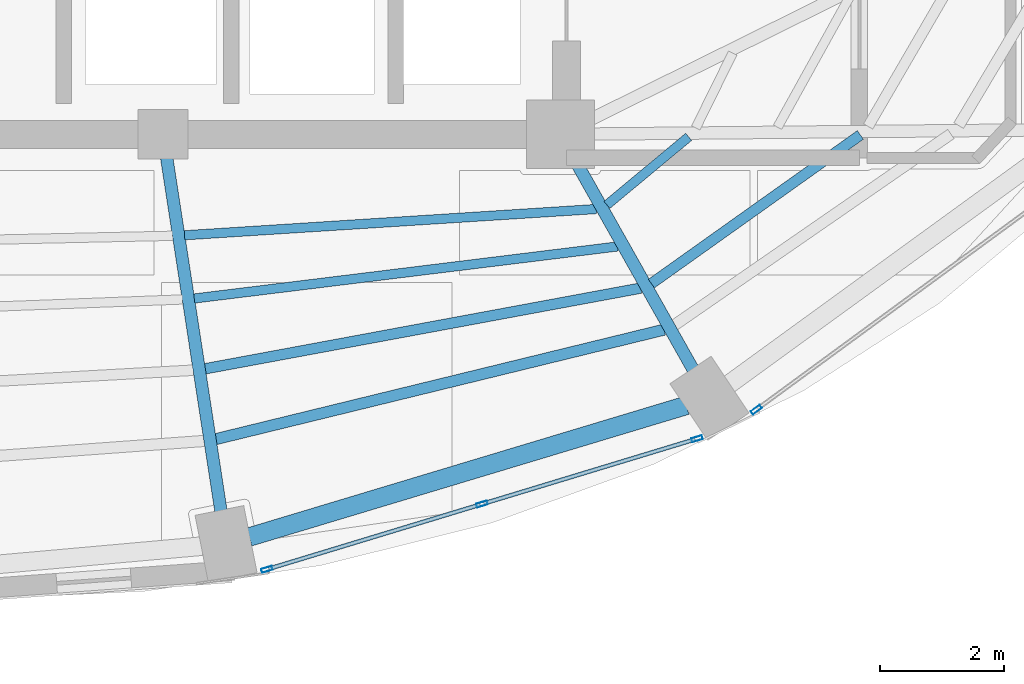
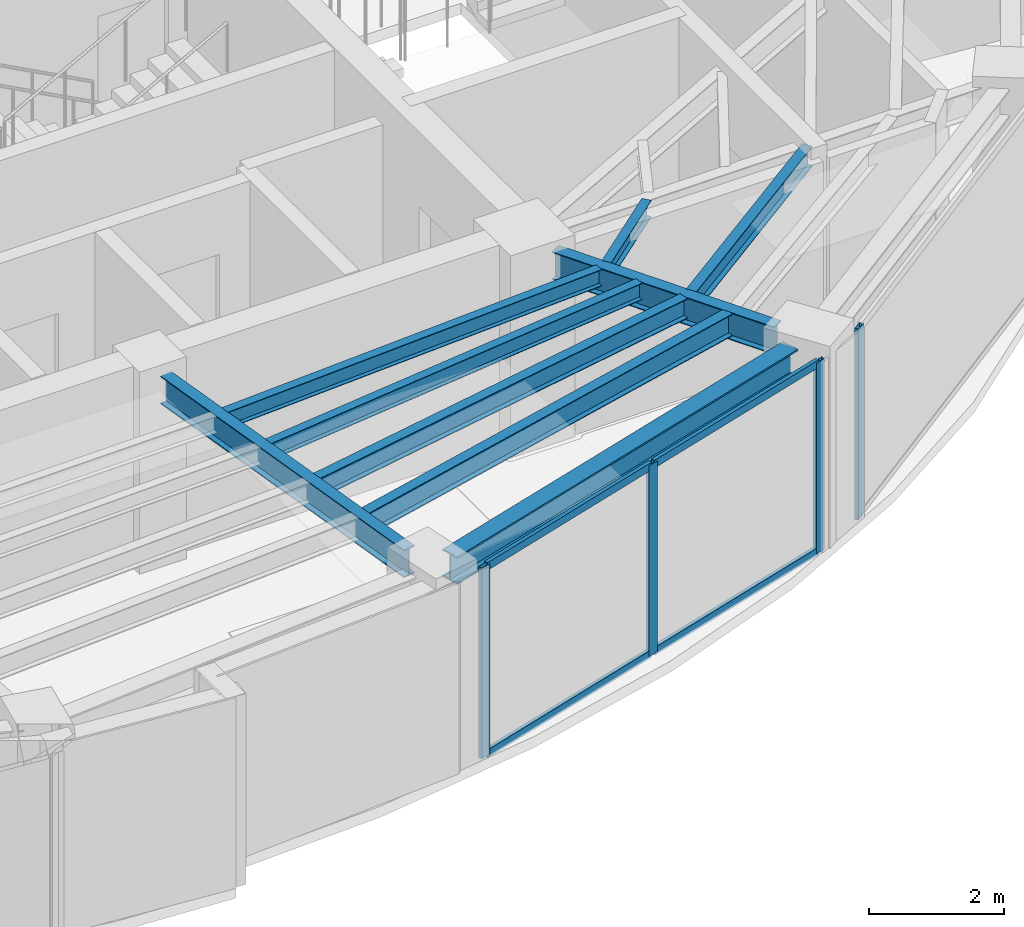
# One storey, part 2 of 15: 9 beams, 8 members, 2 elements without a shape of their own.
"""IFC4 building model written with IfcOpenShell, lengths in metres."""

from ifc_helpers import new_model, si_unit, direction, frame, origin, origin_2d, place, context, subcontext, project, spatial, hollow_rectangle, i_section, extrude, material, layer, layer_set, material_profile, profile_set, type_object, element, aggregate, save


model = new_model("IFC4")

# Units and contexts
model_context = context("Model", 3, precision=1e-05, world=origin(), true_north=direction((0.0, 1.0)))
body_context = subcontext(model_context, "Body", "Model", "MODEL_VIEW")
ifc_project = project(units=[si_unit("LENGTHUNIT", "METRE"), si_unit("AREAUNIT", "SQUARE_METRE"), si_unit("VOLUMEUNIT", "CUBIC_METRE"), si_unit("PLANEANGLEUNIT", "RADIAN"), si_unit("MASSUNIT", "GRAM", prefix="KILO")], contexts=[model_context])

# Site, building, storey
site_placement = place(None, origin())
site = spatial("IfcSite", under=ifc_project, at=site_placement, CompositionType="ELEMENT")
building_placement = place(site_placement, origin())
building = spatial("IfcBuilding", under=site, at=building_placement, Name="Lazwardi Medical Tower", CompositionType="ELEMENT")
storey_placement = place(building_placement, frame((0.0, 0.0, 284.2080078125)))
storey = spatial("IfcBuildingStorey", under=building, at=storey_placement, Name="L74", CompositionType="ELEMENT", Elevation=284.2080078125)

# Beams
ifc_material_1 = material(Name="Steel S355", Category="steel")
ifc_material_profile_1 = material_profile(ifc_material_1, i_section(OverallWidth=0.300048828125, OverallDepth=0.5, WebThickness=0.014404296875, FlangeThickness=0.028076171875, at=origin_2d()), Name="HEB 500")
ifc_profile_set_1 = profile_set([ifc_material_profile_1], Name="Steel S355")
beam_type_1 = type_object("IfcBeamType", Name="BM-RB-Z4", PredefinedType="BEAM", material=ifc_profile_set_1)
beam_1_placement = place(storey_placement, frame((40.58740234375, 13.9140625, 3.197998046875), z_axis=(0.957544311906, 0.288286126506, 0.0), x_axis=(-0.288286126506, 0.957544311906, 0.0)))
element("IfcBeam", 1, at=beam_1_placement, inside=storey, type_object=beam_type_1, Name="Ring beam RB-05 B01 L74", PredefinedType="BEAM", context=body_context, shape_type="SweptSolid", body=[
    extrude(i_section(OverallWidth=0.300048828125, OverallDepth=0.5, WebThickness=0.014404296875, FlangeThickness=0.028076171875, at=origin_2d()), origin(), (0.0, 0.0, 1.0), 7.3515625),
])
ifc_material_profile_2 = material_profile(ifc_material_1, i_section(OverallWidth=0.199951171875, OverallDepth=0.5, WebThickness=0.01025390625, FlangeThickness=0.01611328125, at=origin_2d()), Name="IPE 500")
ifc_profile_set_2 = profile_set([ifc_material_profile_2], Name="Steel S355")
beam_type_2 = type_object("IfcBeamType", Name="BM-RG-W3", PredefinedType="BEAM", material=ifc_profile_set_2)
beam_2_placement = place(storey_placement, frame((40.1328125, 14.33056640625, 3.197998046875), z_axis=(-0.151894625259, 0.988396693043, 0.0), x_axis=(-0.988396693043, -0.151894625259, 0.0)))
element("IfcBeam", 2, at=beam_2_placement, inside=storey, type_object=beam_type_2, Name="Radial girder RG-04 R01 L74", PredefinedType="BEAM", context=body_context, shape_type="SweptSolid", body=[
    extrude(i_section(OverallWidth=0.199951171875, OverallDepth=0.5, WebThickness=0.01025390625, FlangeThickness=0.01611328125, at=origin_2d()), origin(), (0.0, 0.0, 1.0), 5.755859375),
])
beam_3_placement = place(storey_placement, frame((47.7373046875, 16.61181640625, 3.197998046875), z_axis=(-0.491403349237, 0.870932114667, 0.0), x_axis=(-0.870932114667, -0.491403349237, 0.0)))
element("IfcBeam", 3, at=beam_3_placement, inside=storey, type_object=beam_type_2, Name="Radial girder RG-04 R02 L74", PredefinedType="BEAM", context=body_context, shape_type="SweptSolid", body=[
    extrude(i_section(OverallWidth=0.199951171875, OverallDepth=0.5, WebThickness=0.01025390625, FlangeThickness=0.01611328125, at=origin_2d()), origin(), (0.0, 0.0, 1.0), 3.814697265625),
])
ifc_material_profile_3 = material_profile(ifc_material_1, i_section(OverallWidth=0.179931640625, OverallDepth=0.39990234375, WebThickness=0.008544921875, FlangeThickness=0.013427734375, at=origin_2d()), Name="IPE 400")
ifc_profile_set_3 = profile_set([ifc_material_profile_3], Name="Steel S355")
beam_type_3 = type_object("IfcBeamType", Name="BM-SJ-01", PredefinedType="JOIST", material=ifc_profile_set_3)
beam_4_placement = place(storey_placement, frame((40.050048828125, 15.49072265625, 3.248046875), z_axis=(0.971461103721, 0.237198912219, 0.0), x_axis=(-0.237198912219, 0.971461103721, 0.0)))
element("IfcBeam", 4, at=beam_4_placement, inside=storey, type_object=beam_type_3, Name="Secondary joist SJ-01 R1 B01 L74", PredefinedType="JOIST", context=body_context, shape_type="SweptSolid", body=[
    extrude(i_section(OverallWidth=0.179931640625, OverallDepth=0.39990234375, WebThickness=0.008544921875, FlangeThickness=0.013427734375, at=origin_2d()), origin(), (0.0, 0.0, 1.0), 7.432373046875),
])
ifc_material_profile_4 = material_profile(ifc_material_1, i_section(OverallWidth=0.169921875, OverallDepth=0.360107421875, WebThickness=0.008056640625, FlangeThickness=0.0126953125, at=origin_2d()), Name="IPE 360")
ifc_profile_set_4 = profile_set([ifc_material_profile_4], Name="Steel S355")
beam_type_4 = type_object("IfcBeamType", Name="BM-SJ-02", PredefinedType="JOIST", material=ifc_profile_set_4)
beam_5_placement = place(storey_placement, frame((39.87646484375, 16.623291015625, 3.26806640625), z_axis=(0.983270661344, 0.182150505189, 0.0), x_axis=(-0.182150505189, 0.983270661344, 0.0)))
element("IfcBeam", 5, at=beam_5_placement, inside=storey, type_object=beam_type_4, Name="Secondary joist SJ-02 R2 B01 L74", PredefinedType="JOIST", context=body_context, shape_type="SweptSolid", body=[
    extrude(i_section(OverallWidth=0.169921875, OverallDepth=0.360107421875, WebThickness=0.008056640625, FlangeThickness=0.0126953125, at=origin_2d()), origin(), (0.0, 0.0, 1.0), 7.13720703125),
])
beam_6_placement = place(storey_placement, frame((47.06494140625, 17.995849609375, 3.26806640625), z_axis=(0.814885852348, 0.579621469274, 0.0), x_axis=(-0.579621469274, 0.814885852348, 0.0)))
element("IfcBeam", 6, at=beam_6_placement, inside=storey, type_object=beam_type_4, Name="Secondary joist SJ-02 R2 B02 L74", PredefinedType="JOIST", context=body_context, shape_type="SweptSolid", body=[
    extrude(i_section(OverallWidth=0.169921875, OverallDepth=0.360107421875, WebThickness=0.008056640625, FlangeThickness=0.0126953125, at=origin_2d()), origin(), (0.0, 0.0, 1.0), 4.131103515625),
])
ifc_material_profile_5 = material_profile(ifc_material_1, i_section(OverallWidth=0.14990234375, OverallDepth=0.300048828125, WebThickness=0.007080078125, FlangeThickness=0.0107421875, at=origin_2d()), Name="IPE 300")
ifc_profile_set_5 = profile_set([ifc_material_profile_5], Name="Steel S355")
beam_type_5 = type_object("IfcBeamType", Name="BM-SJ-03", PredefinedType="JOIST", material=ifc_profile_set_5)
beam_7_placement = place(storey_placement, frame((39.702392578125, 17.755615234375, 3.298095703125), z_axis=(0.992528507109, 0.122012960685, 0.0), x_axis=(-0.122012960685, 0.992528507109, 0.0)))
element("IfcBeam", 7, at=beam_7_placement, inside=storey, type_object=beam_type_5, Name="Secondary joist SJ-03 R3 B01 L74", PredefinedType="JOIST", context=body_context, shape_type="SweptSolid", body=[
    extrude(i_section(OverallWidth=0.14990234375, OverallDepth=0.300048828125, WebThickness=0.007080078125, FlangeThickness=0.0107421875, at=origin_2d()), origin(), (0.0, 0.0, 1.0), 6.8671875),
])
beam_8_placement = place(storey_placement, frame((39.545654296875, 18.77392578125, 3.298095703125), z_axis=(0.997972905644, 0.063640235704, 0.0), x_axis=(-0.063640235704, 0.997972905644, 0.0)))
element("IfcBeam", 8, at=beam_8_placement, inside=storey, type_object=beam_type_5, Name="Secondary joist SJ-03 R4 B01 L74", PredefinedType="JOIST", context=body_context, shape_type="SweptSolid", body=[
    extrude(i_section(OverallWidth=0.14990234375, OverallDepth=0.300048828125, WebThickness=0.007080078125, FlangeThickness=0.0107421875, at=origin_2d()), origin(), (0.0, 0.0, 1.0), 6.648193359375),
])
beam_9_placement = place(storey_placement, frame((46.348388671875, 19.263916015625, 3.298095703125), z_axis=(0.768968334056, 0.639286869269, 0.0), x_axis=(-0.639286869269, 0.768968334056, 0.0)))
element("IfcBeam", 9, at=beam_9_placement, inside=storey, type_object=beam_type_5, Name="Secondary joist SJ-03 R4 B02 L74", PredefinedType="JOIST", context=body_context, shape_type="SweptSolid", body=[
    extrude(i_section(OverallWidth=0.14990234375, OverallDepth=0.300048828125, WebThickness=0.007080078125, FlangeThickness=0.0107421875, at=origin_2d()), origin(), (0.0, 0.0, 1.0), 1.713134765625),
])

# Curtain wall, members
ifc_material_2 = material(Name="Anodised bronze aluminium and solar control glazing", Category="aluminium")
ifc_layer = layer(ifc_material_2, 0.18994140625)
ifc_layer_set = layer_set([ifc_layer], Name="Anodised bronze aluminium and solar control glazing")
curtain_wall_type = type_object("IfcCurtainWallType", Name="CW-SYS-04", PredefinedType="NOTDEFINED", material=ifc_layer_set)
curtain_wall_1_placement = place(storey_placement, origin())
curtain_wall_1 = element("IfcCurtainWall", 10, at=curtain_wall_1_placement, inside=storey, type_object=curtain_wall_type, Name="L74 Unitised bronze curtain wall CW-04", PredefinedType="NOTDEFINED")
ifc_material_3 = material(Name="Anodised bronze aluminium", Category="aluminium")
ifc_material_profile_6 = material_profile(ifc_material_3, hollow_rectangle(XDim=0.06494140625, YDim=0.179931640625, WallThickness=0.00390625, at=origin_2d()), Name="ALU-MULLION 180x65x4")
ifc_profile_set_6 = profile_set([ifc_material_profile_6], Name="Anodised bronze aluminium")
member_type_1 = type_object("IfcMemberType", Name="CW-MUL-03", PredefinedType="MULLION", material=ifc_profile_set_6)
member_1_placement = place(storey_placement, frame((40.873046875, 13.392822265625, 0.0), z_axis=(0.0, 0.0, 1.0), x_axis=(-0.290581889515, 0.956850126972, 0.0)))
member_1 = element("IfcMember", 11, at=member_1_placement, type_object=member_type_1, Name="CW-04 mullion 1", PredefinedType="MULLION", context=body_context, shape_type="SweptSolid", body=[
    extrude(hollow_rectangle(XDim=0.06494140625, YDim=0.179931640625, WallThickness=0.00390625, at=origin_2d()), origin(), (0.0, 0.0, 1.0), 3.447998046875),
])
member_2_placement = place(storey_placement, frame((44.33642578125, 14.444580078125, 0.0), z_axis=(0.0, 0.0, 1.0), x_axis=(-0.290581889515, 0.956850126972, 0.0)))
member_2 = element("IfcMember", 12, at=member_2_placement, type_object=member_type_1, Name="CW-04 mullion 2", PredefinedType="MULLION", context=body_context, shape_type="SweptSolid", body=[
    extrude(hollow_rectangle(XDim=0.06494140625, YDim=0.179931640625, WallThickness=0.00390625, at=origin_2d()), origin(), (0.0, 0.0, 1.0), 3.447998046875),
])
member_3_placement = place(storey_placement, frame((47.7998046875, 15.496337890625, 0.0), z_axis=(0.0, 0.0, 1.0), x_axis=(-0.290581889515, 0.956850126972, 0.0)))
member_3 = element("IfcMember", 13, at=member_3_placement, type_object=member_type_1, Name="CW-04 mullion 3", PredefinedType="MULLION", context=body_context, shape_type="SweptSolid", body=[
    extrude(hollow_rectangle(XDim=0.06494140625, YDim=0.179931640625, WallThickness=0.00390625, at=origin_2d()), origin(), (0.0, 0.0, 1.0), 3.447998046875),
])

# Curtain wall, member
curtain_wall_2_placement = place(storey_placement, origin())
curtain_wall_2 = element("IfcCurtainWall", 14, at=curtain_wall_2_placement, inside=storey, type_object=curtain_wall_type, Name="L74 Unitised bronze curtain wall CW-04", PredefinedType="NOTDEFINED")
member_4_placement = place(storey_placement, frame((48.75537109375, 15.965087890625, 0.0), z_axis=(0.0, 0.0, 1.0), x_axis=(-0.591268230971, 0.806474971121, 0.0)))
member_4 = element("IfcMember", 15, at=member_4_placement, type_object=member_type_1, Name="CW-04 mullion 1", PredefinedType="MULLION", context=body_context, shape_type="SweptSolid", body=[
    extrude(hollow_rectangle(XDim=0.06494140625, YDim=0.179931640625, WallThickness=0.00390625, at=origin_2d()), origin(), (0.0, 0.0, 1.0), 3.447998046875),
])
aggregate(curtain_wall_2, [member_4])

# Member
ifc_material_profile_7 = material_profile(ifc_material_3, hollow_rectangle(XDim=0.06494140625, YDim=0.139892578125, WallThickness=0.00341796875, at=origin_2d()), Name="ALU-TRANSOM 140x65x3.5")
ifc_profile_set_7 = profile_set([ifc_material_profile_7], Name="Anodised bronze aluminium")
member_type_2 = type_object("IfcMemberType", Name="CW-TRN-03", PredefinedType="USERDEFINED", material=ifc_profile_set_7)
member_5_placement = place(storey_placement, frame((40.904296875, 13.40234375, 0.032470703125), z_axis=(0.956843409009, 0.290604010015, 0.0), x_axis=(-0.290604010015, 0.956843409009, 0.0)))
member_5 = element("IfcMember", 16, at=member_5_placement, type_object=member_type_2, Name="CW-04 transom 1.1", ObjectType="TRANSOM", PredefinedType="USERDEFINED", context=body_context, shape_type="SweptSolid", body=[
    extrude(hollow_rectangle(XDim=0.06494140625, YDim=0.139892578125, WallThickness=0.00341796875, at=origin_2d()), origin(), (0.0, 0.0, 1.0), 3.554443359375),
])

member_6_placement = place(storey_placement, frame((40.904296875, 13.40234375, 3.41552734375), z_axis=(0.956843409009, 0.290604010015, 0.0), x_axis=(-0.290604010015, 0.956843409009, 0.0)))
member_6 = element("IfcMember", 17, at=member_6_placement, type_object=member_type_2, Name="CW-04 transom 1.2", ObjectType="TRANSOM", PredefinedType="USERDEFINED", context=body_context, shape_type="SweptSolid", body=[
    extrude(hollow_rectangle(XDim=0.06494140625, YDim=0.139892578125, WallThickness=0.00341796875, at=origin_2d()), origin(), (0.0, 0.0, 1.0), 3.554443359375),
])

member_7_placement = place(storey_placement, frame((44.367431640625, 14.4541015625, 0.032470703125), z_axis=(0.956843409009, 0.290604010015, 0.0), x_axis=(-0.290604010015, 0.956843409009, 0.0)))
member_7 = element("IfcMember", 18, at=member_7_placement, type_object=member_type_2, Name="CW-04 transom 2.1", ObjectType="TRANSOM", PredefinedType="USERDEFINED", context=body_context, shape_type="SweptSolid", body=[
    extrude(hollow_rectangle(XDim=0.06494140625, YDim=0.139892578125, WallThickness=0.00341796875, at=origin_2d()), origin(), (0.0, 0.0, 1.0), 3.554443359375),
])

member_8_placement = place(storey_placement, frame((44.367431640625, 14.4541015625, 3.41552734375), z_axis=(0.956843409009, 0.290604010015, 0.0), x_axis=(-0.290604010015, 0.956843409009, 0.0)))
member_8 = element("IfcMember", 19, at=member_8_placement, type_object=member_type_2, Name="CW-04 transom 2.2", ObjectType="TRANSOM", PredefinedType="USERDEFINED", context=body_context, shape_type="SweptSolid", body=[
    extrude(hollow_rectangle(XDim=0.06494140625, YDim=0.139892578125, WallThickness=0.00341796875, at=origin_2d()), origin(), (0.0, 0.0, 1.0), 3.554443359375),
])

aggregate(curtain_wall_1, [member_1, member_2, member_3, member_5, member_6, member_7, member_8])

save(model, "model.ifc")
